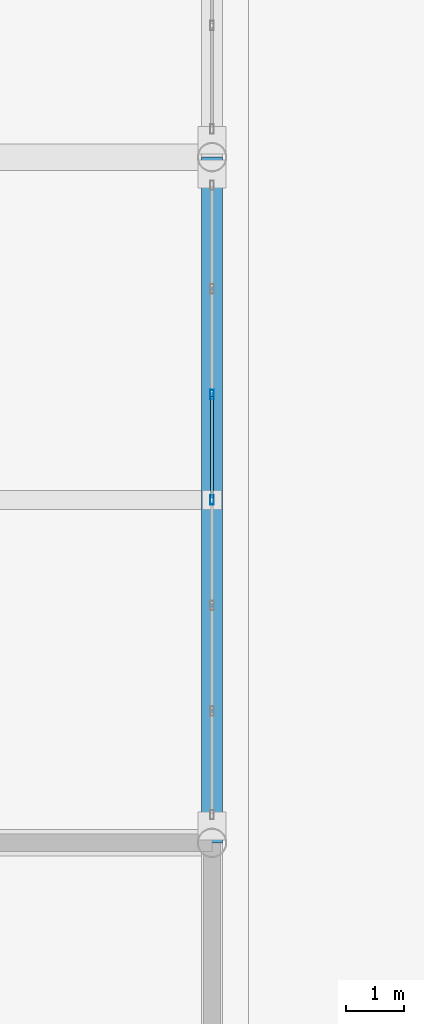
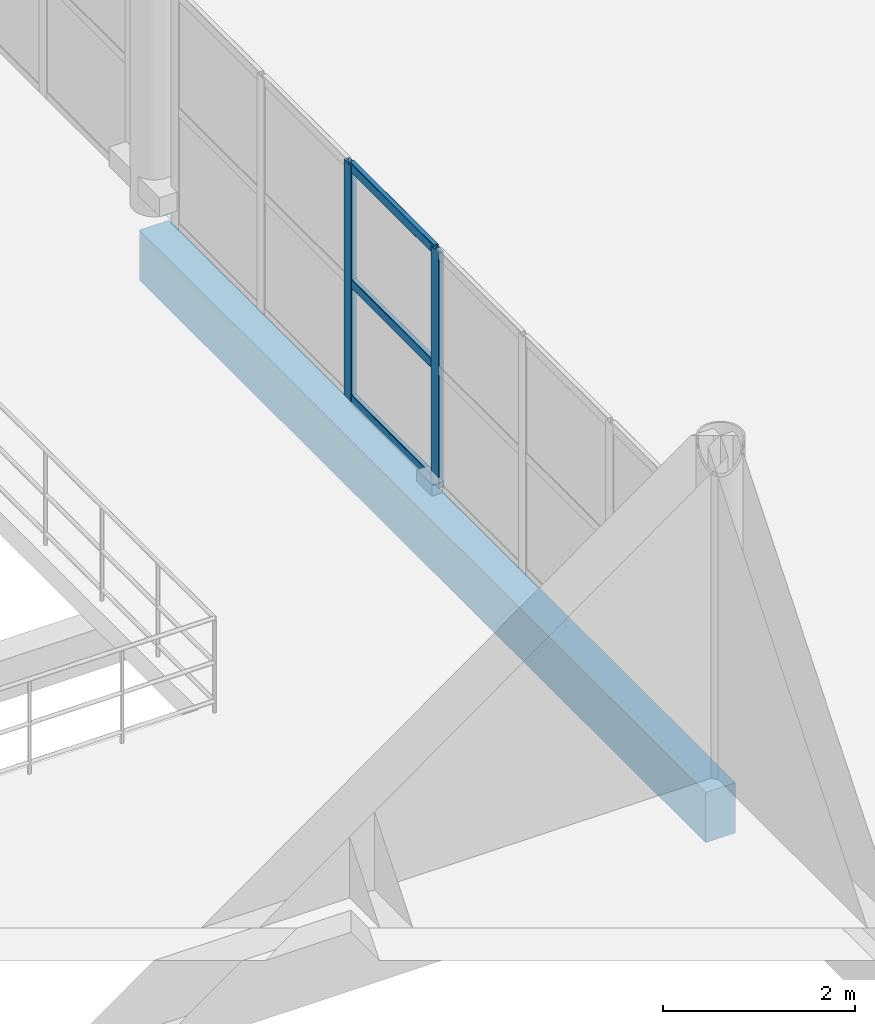
# One storey, part 61 of 157: 5 members, 1 beam, 1 element without a shape of its own.
"""IFC4 building model written with IfcOpenShell, lengths in metres."""

import ifcopenshell
import ifcopenshell.guid

model = None  # the IFC model being written
_history = None  # IfcOwnerHistory: only IFC2X3 demands one
_inside = {}  # id of a spatial element -> (the spatial element, [elements in it])
_under = {}  # id of a project, library or spatial element -> (it, [spatial elements below it])
_declared = {}  # id of a project -> (the project, [libraries it declares])
_typed = {}  # id of a type object -> (the type object, [elements of that type])
_made_of = {}  # id of a material, layer set ... -> (it, [elements and type objects made of it])


def new_model(schema):
    """Start an empty IFC model of exactly this schema.

    Asked for "IFC4X3", IfcOpenShell would pick the latest addendum, in which some entities
    have other attributes; the version numbers below select the first issue.
    IFC2X3 requires an IfcOwnerHistory on every rooted entity: one is made here for all.
    """
    global model, _history
    if schema == "IFC4X3":
        model = ifcopenshell.file(schema_version=(4, 3, 0, 0))
    else:
        model = ifcopenshell.file(schema=schema)
    _inside.clear()
    _under.clear()
    _declared.clear()
    _typed.clear()
    _made_of.clear()
    _history = None
    if model.schema == "IFC2X3":
        org = make("IfcOrganization", Name="unknown")
        user = make(
            "IfcPersonAndOrganization",
            ThePerson=make("IfcPerson", FamilyName="unknown"),
            TheOrganization=org,
        )
        app = make(
            "IfcApplication",
            ApplicationDeveloper=org,
            Version="unknown",
            ApplicationFullName="unknown",
            ApplicationIdentifier="unknown",
        )
        _history = make(
            "IfcOwnerHistory",
            OwningUser=user,
            OwningApplication=app,
            ChangeAction="ADDED",
            CreationDate=0,
        )
    return model


def make(cls, **values):
    """One entity of the class cls with the attributes given. An attribute that is None is left unset."""
    return model.create_entity(
        cls, **{name: value for name, value in values.items() if value is not None}
    )


def rooted(cls, **values):
    """An entity with a GlobalId (a new one), such as an element, a storey or a relation."""
    return make(cls, GlobalId=ifcopenshell.guid.new(), OwnerHistory=_history, **values)


def si_unit(unit_type, name, prefix=None):
    """IfcSIUnit, for example si_unit("LENGTHUNIT", "METRE", prefix="MILLI")."""
    return make("IfcSIUnit", UnitType=unit_type, Prefix=prefix, Name=name)


def assignment(units):
    """IfcUnitAssignment: the units of a project."""
    return None if units is None else make("IfcUnitAssignment", Units=units)


def point(xyz):
    """IfcCartesianPoint."""
    return None if xyz is None else make("IfcCartesianPoint", Coordinates=xyz)


def direction(xyz):
    """IfcDirection."""
    return None if xyz is None else make("IfcDirection", DirectionRatios=xyz)


def frame(location, z_axis=None, x_axis=None):
    """IfcAxis2Placement3D, a coordinate frame: its origin and axes. An axis left out is left unset."""
    return make(
        "IfcAxis2Placement3D",
        Location=point(location),
        Axis=direction(z_axis),
        RefDirection=direction(x_axis),
    )


def frame_2d(location, x_axis=None):
    """IfcAxis2Placement2D, a coordinate frame in the plane: its origin and x axis."""
    return make(
        "IfcAxis2Placement2D", Location=point(location), RefDirection=direction(x_axis)
    )


def origin():
    """The frame at (0, 0, 0) with its axes left unset."""
    return frame((0.0, 0.0, 0.0))


def origin_2d():
    """The frame at (0, 0) in the plane with its x axis left unset."""
    return frame_2d((0.0, 0.0))


def place(relative_to, where):
    """IfcLocalPlacement: puts the frame where relative to a parent placement (None: the world)."""
    return make(
        "IfcLocalPlacement", PlacementRelTo=relative_to, RelativePlacement=where
    )


def context(
    kind, dimensions, precision=None, world=None, true_north=None, identifier=None
):
    """IfcGeometricRepresentationContext, for example the 3D "Model" context."""
    return make(
        "IfcGeometricRepresentationContext",
        ContextIdentifier=identifier,
        ContextType=kind,
        CoordinateSpaceDimension=dimensions,
        Precision=precision,
        WorldCoordinateSystem=world,
        TrueNorth=true_north,
    )


def subcontext(parent, identifier, kind, view, scale=None):
    """IfcGeometricRepresentationSubContext, for example "Body" below "Model"."""
    return make(
        "IfcGeometricRepresentationSubContext",
        ContextIdentifier=identifier,
        ContextType=kind,
        ParentContext=parent,
        TargetScale=scale,
        TargetView=view,
    )


def project(units=None, contexts=None):
    """IfcProject with its units and contexts."""
    return rooted(
        "IfcProject",
        Name="project",
        RepresentationContexts=contexts,
        UnitsInContext=assignment(units),
    )


def spatial(cls, under=None, at=None, **own):
    """A site, building, storey or space (cls), placed at a placement, below another one or the project."""
    s = rooted(cls, ObjectPlacement=at, **own)
    if under is not None:
        _under.setdefault(under.id(), (under, []))[1].append(s)
    return s


def profile(cls, at=None, kind="AREA", **sizes):
    """A parametric profile (cls). Its sizes go by their IFC names, for example OverallWidth=200.0."""
    return make(cls, ProfileType=kind, Position=at, **sizes)


def rectangle(**sizes):
    """IfcRectangleProfileDef."""
    return profile("IfcRectangleProfileDef", **sizes)


def hollow_rectangle(**sizes):
    """IfcRectangleHollowProfileDef."""
    return profile("IfcRectangleHollowProfileDef", **sizes)


def extrude(swept, where, along, depth):
    """IfcExtrudedAreaSolid: the profile swept, set in the frame where, extruded along a direction by depth."""
    return make(
        "IfcExtrudedAreaSolid",
        SweptArea=swept,
        Position=where,
        ExtrudedDirection=direction(along),
        Depth=depth,
    )


def shape(context_of_items, identifier, shape_type, items):
    """IfcShapeRepresentation: the items that make up one representation, for example the "Body"."""
    return make(
        "IfcShapeRepresentation",
        ContextOfItems=context_of_items,
        RepresentationIdentifier=identifier,
        RepresentationType=shape_type,
        Items=items,
    )


def material(Name=None, Category=None):
    """IfcMaterial."""
    return make("IfcMaterial", Name=Name, Category=Category)


def material_profile(
    of_material, cross_section, Name=None, Category=None, Priority=None
):
    """IfcMaterialProfile: a cross section and its material."""
    return make(
        "IfcMaterialProfile",
        Name=Name,
        Material=of_material,
        Profile=cross_section,
        Priority=Priority,
        Category=Category,
    )


def profile_set(profiles, Name=None, composite=None):
    """IfcMaterialProfileSet."""
    return make(
        "IfcMaterialProfileSet",
        Name=Name,
        MaterialProfiles=profiles,
        CompositeProfile=composite,
    )


def made_of(thing, what):
    """Note that an element or type object is made of a material, layer set ...; save() writes the relation."""
    if what is not None:
        _made_of.setdefault(what.id(), (what, []))[1].append(thing)
    return thing


def type_object(cls, material=None, **own):
    """A type object (cls), such as IfcWallType, which elements share."""
    return made_of(rooted(cls, **own), material)


def element(
    cls,
    number,
    at=None,
    inside=None,
    cuts=None,
    type_object=None,
    material=None,
    context=None,
    identifier="Body",
    shape_type=None,
    held_by="IfcProductDefinitionShape",
    body=None,
    shapes=None,
    **own,
):
    """One element of the class cls, such as IfcWall. Its Tag is "e" and its number.

    at: its placement. inside: the storey or other place that contains it. cuts: it is an
    opening in that element (IfcRelVoidsElement). A single representation is given by context,
    identifier, shape_type and body (its items); several are given by shapes. held_by: the class
    of the entity that holds the representations. save() writes the other relations.
    """
    e = rooted(cls, Tag="e%d" % number, ObjectPlacement=at, **own)
    if body is not None:
        shapes = [shape(context, identifier, shape_type, body)]
    if shapes is not None:
        e.Representation = make(held_by, Representations=shapes)
    if inside is not None:
        _inside.setdefault(inside.id(), (inside, []))[1].append(e)
    if cuts is not None:
        rooted(
            "IfcRelVoidsElement", RelatingBuildingElement=cuts, RelatedOpeningElement=e
        )
    if type_object is not None:
        _typed.setdefault(type_object.id(), (type_object, []))[1].append(e)
    return made_of(e, material)


def aggregate(whole, parts):
    """IfcRelAggregates: a whole, such as a stair, and the parts it consists of."""
    return rooted("IfcRelAggregates", RelatingObject=whole, RelatedObjects=parts)


def save(model, path):
    """Write the relations noted so far, then the file.

    IfcRelAggregates (storeys below a building ...), IfcRelContainedInSpatialStructure (elements
    in a storey), IfcRelDefinesByType, IfcRelAssociatesMaterial and IfcRelDeclares: one each for
    every whole, place, type object, material and project.
    """
    for whole, parts in _under.values():
        aggregate(whole, parts)
    for where, things in _inside.values():
        rooted(
            "IfcRelContainedInSpatialStructure",
            RelatedElements=things,
            RelatingStructure=where,
        )
    for kind, things in _typed.values():
        rooted("IfcRelDefinesByType", RelatedObjects=things, RelatingType=kind)
    for what, things in _made_of.values():
        rooted("IfcRelAssociatesMaterial", RelatedObjects=things, RelatingMaterial=what)
    for by, libraries in _declared.values():
        rooted("IfcRelDeclares", RelatingContext=by, RelatedDefinitions=libraries)
    model.write(path)


model = new_model("IFC4")

# Units and contexts
model_context = context("Model", 3, precision=1e-05, world=origin(), true_north=direction((0.0, 1.0)))
body_context = subcontext(model_context, "Body", "Model", "MODEL_VIEW")
ifc_project = project(units=[si_unit("LENGTHUNIT", "METRE"), si_unit("AREAUNIT", "SQUARE_METRE"), si_unit("VOLUMEUNIT", "CUBIC_METRE"), si_unit("PLANEANGLEUNIT", "RADIAN"), si_unit("MASSUNIT", "GRAM", prefix="KILO")], contexts=[model_context])

# Site, building, storey
site_placement = place(None, origin())
site = spatial("IfcSite", under=ifc_project, at=site_placement, CompositionType="ELEMENT")
building_placement = place(site_placement, origin())
building = spatial("IfcBuilding", under=site, at=building_placement, Name="Brelvane Convention Centre", CompositionType="ELEMENT")
storey_placement = place(building_placement, frame((0.0, 0.0, 10.800048828125)))
storey = spatial("IfcBuildingStorey", under=building, at=storey_placement, Name="L02", CompositionType="ELEMENT", Elevation=10.800048828125)

# Curtain wall, members
ifc_material_1 = material(Name="Anodised Aluminium Alloy 6063-T6", Category="aluminium")
curtain_wall_type = type_object("IfcCurtainWallType", Name="Curtain Wall CW-CONC", PredefinedType="USERDEFINED", material=ifc_material_1)
curtain_wall_placement = place(storey_placement, origin())
curtain_wall = element("IfcCurtainWall", 1, at=curtain_wall_placement, inside=storey, type_object=curtain_wall_type, Name="Curtain Wall CW-CONC L02-GAL-ATRIUM-E-2", ObjectType="UNITISED", PredefinedType="USERDEFINED")
ifc_material_2 = material(Name="Anodised Aluminium Alloy 6063-T6", Category="aluminium")
ifc_material_profile_1 = material_profile(ifc_material_2, hollow_rectangle(XDim=0.06494140625, YDim=0.159912109375, WallThickness=0.00390625, InnerFilletRadius=0.00390625, OuterFilletRadius=0.008056640625, at=origin_2d()), Name="ALU-M 160x65x4.0")
ifc_profile_set_1 = profile_set([ifc_material_profile_1], Name="Anodised Aluminium Alloy 6063-T6")
member_type_1 = type_object("IfcMemberType", Name="Curtain Mullion CW-M3", PredefinedType="MULLION", material=ifc_profile_set_1)
member_1_placement = place(storey_placement, frame((163.199951171875, 58.300048828125, 0.0), z_axis=(0.0, 0.0, 1.0), x_axis=(-1.0, 0.0, 0.0)))
member_1 = element("IfcMember", 2, at=member_1_placement, type_object=member_type_1, Name="CW-CONC mullion 4", PredefinedType="MULLION", context=body_context, shape_type="SweptSolid", body=[
    extrude(hollow_rectangle(XDim=0.06494140625, YDim=0.159912109375, WallThickness=0.00390625, InnerFilletRadius=0.00390625, OuterFilletRadius=0.008056640625, at=origin_2d()), origin(), (0.0, 0.0, 1.0), 3.0),
])
member_2_placement = place(storey_placement, frame((163.199951171875, 60.11669921875, 0.0), z_axis=(0.0, 0.0, 1.0), x_axis=(-1.0, 0.0, 0.0)))
member_2 = element("IfcMember", 3, at=member_2_placement, type_object=member_type_1, Name="CW-CONC mullion 5", PredefinedType="MULLION", context=body_context, shape_type="SweptSolid", body=[
    extrude(hollow_rectangle(XDim=0.06494140625, YDim=0.159912109375, WallThickness=0.00390625, InnerFilletRadius=0.00390625, OuterFilletRadius=0.008056640625, at=origin_2d()), origin(), (0.0, 0.0, 1.0), 3.0),
])
ifc_material_3 = material(Name="Anodised Aluminium Alloy 6063-T6", Category="aluminium")
ifc_material_profile_2 = material_profile(ifc_material_3, hollow_rectangle(XDim=0.06005859375, YDim=0.1201171875, WallThickness=0.00390625, InnerFilletRadius=0.00390625, OuterFilletRadius=0.008056640625, at=origin_2d()), Name="ALU-T 120x60x4.0")
ifc_profile_set_2 = profile_set([ifc_material_profile_2], Name="Anodised Aluminium Alloy 6063-T6")
member_type_2 = type_object("IfcMemberType", Name="Curtain Transom CW-T3", PredefinedType="USERDEFINED", material=ifc_profile_set_2)
member_3_placement = place(storey_placement, frame((163.199951171875, 58.33251953125, 0.030029296875), z_axis=(0.0, 1.0, 0.0), x_axis=(-1.0, 0.0, 0.0)))
member_3 = element("IfcMember", 4, at=member_3_placement, type_object=member_type_2, Name="CW-CONC transom 4.1", ObjectType="TRANSOM", PredefinedType="USERDEFINED", context=body_context, shape_type="SweptSolid", body=[
    extrude(hollow_rectangle(XDim=0.06005859375, YDim=0.1201171875, WallThickness=0.00390625, InnerFilletRadius=0.00390625, OuterFilletRadius=0.008056640625, at=origin_2d()), origin(), (0.0, 0.0, 1.0), 1.751708984375),
])
member_4_placement = place(storey_placement, frame((163.199951171875, 58.33251953125, 1.5), z_axis=(0.0, 1.0, 0.0), x_axis=(-1.0, 0.0, 0.0)))
member_4 = element("IfcMember", 5, at=member_4_placement, type_object=member_type_2, Name="CW-CONC transom 4.2", ObjectType="TRANSOM", PredefinedType="USERDEFINED", context=body_context, shape_type="SweptSolid", body=[
    extrude(hollow_rectangle(XDim=0.06005859375, YDim=0.1201171875, WallThickness=0.00390625, InnerFilletRadius=0.00390625, OuterFilletRadius=0.008056640625, at=origin_2d()), origin(), (0.0, 0.0, 1.0), 1.751708984375),
])
member_5_placement = place(storey_placement, frame((163.199951171875, 58.33251953125, 2.969970703125), z_axis=(0.0, 1.0, 0.0), x_axis=(-1.0, 0.0, 0.0)))
member_5 = element("IfcMember", 6, at=member_5_placement, type_object=member_type_2, Name="CW-CONC transom 4.3", ObjectType="TRANSOM", PredefinedType="USERDEFINED", context=body_context, shape_type="SweptSolid", body=[
    extrude(hollow_rectangle(XDim=0.06005859375, YDim=0.1201171875, WallThickness=0.00390625, InnerFilletRadius=0.00390625, OuterFilletRadius=0.008056640625, at=origin_2d()), origin(), (0.0, 0.0, 1.0), 1.751708984375),
])
aggregate(curtain_wall, [member_1, member_2, member_3, member_4, member_5])

# Beam
ifc_material_4 = material(Name="Concrete M40", Category="concrete")
ifc_material_profile_3 = material_profile(ifc_material_4, rectangle(XDim=0.360107421875, YDim=0.639892578125, at=origin_2d()), Name="RC 360x640")
ifc_profile_set_3 = profile_set([ifc_material_profile_3], Name="Concrete M40")
beam_type = type_object("IfcBeamType", Name="RC Spandrel SP-RC3 (RC 360x640)", PredefinedType="SPANDREL", material=ifc_profile_set_3)
beam_placement = place(storey_placement, frame((163.199951171875, 52.39990234375, -0.60009765625), z_axis=(0.0, 1.0, 0.0), x_axis=(-1.0, 0.0, 0.0)))
element("IfcBeam", 7, at=beam_placement, inside=storey, type_object=beam_type, Name="L02 Girder 17/F-G", PredefinedType="SPANDREL", context=body_context, shape_type="SweptSolid", body=[
    extrude(rectangle(XDim=0.360107421875, YDim=0.639892578125, at=origin_2d()), origin(), (0.0, 0.0, 1.0), 11.800048828125),
])

save(model, "model.ifc")
